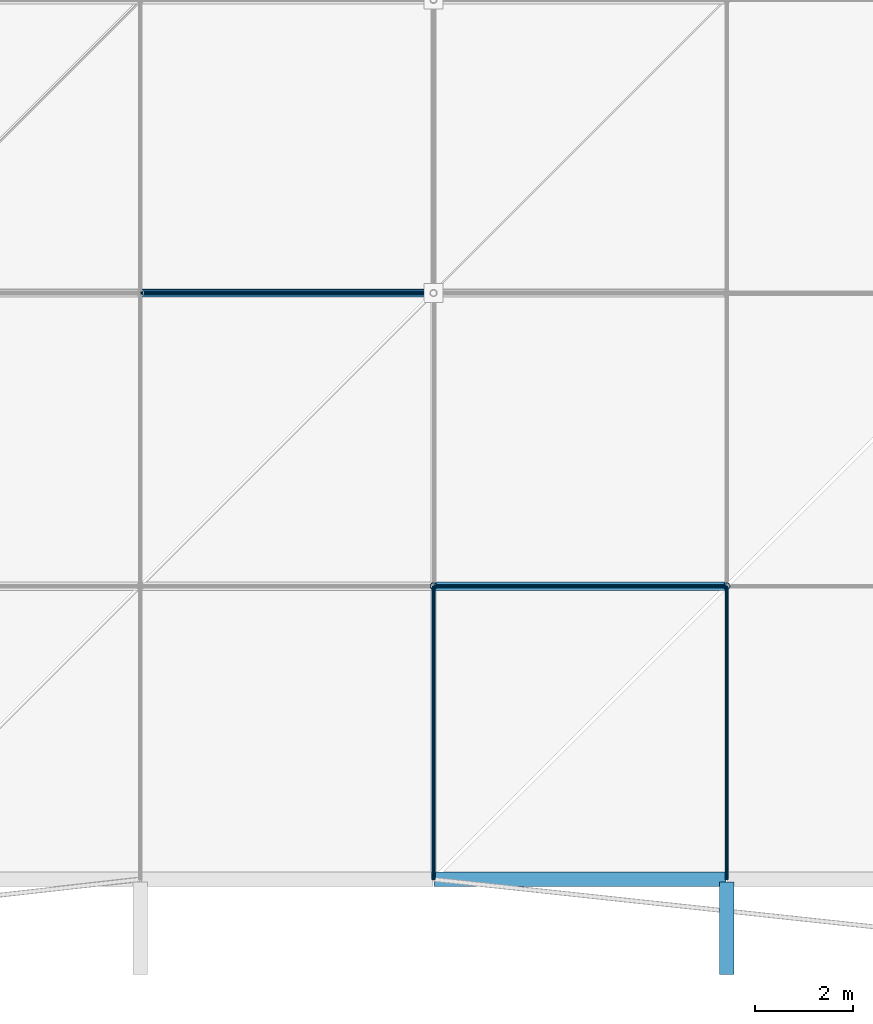
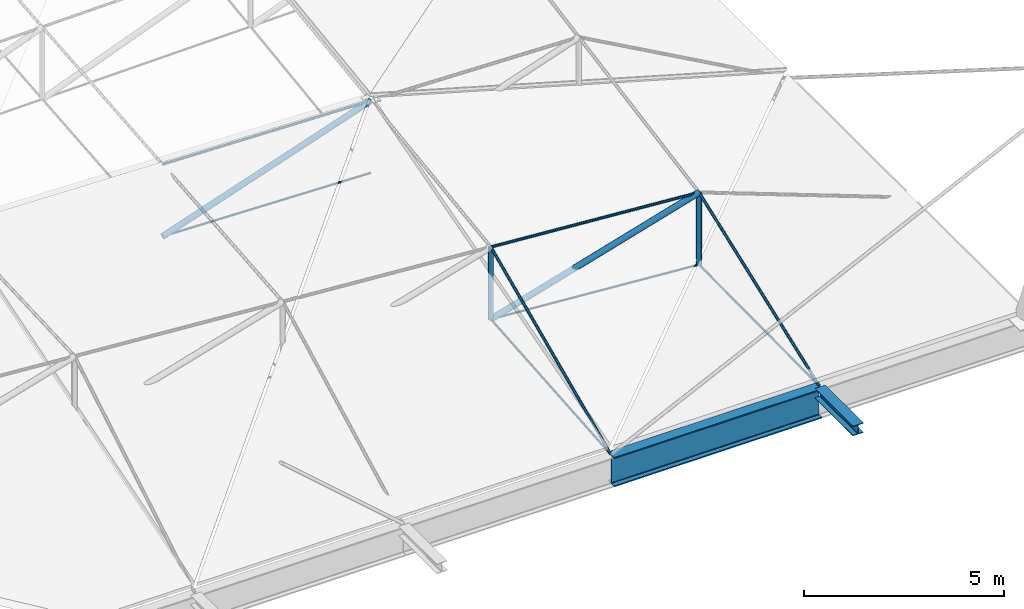
# One storey, part 34 of 132: 12 members, 2 beams.
"""IFC4 building model written with IfcOpenShell, lengths in metres."""

from ifc_helpers import new_model, si_unit, direction, frame, origin, origin_2d, place, context, subcontext, project, spatial, circle, hollow_circle, i_section, extrude, material, material_profile, profile_set, type_object, element, save


model = new_model("IFC4")

# Units and contexts
model_context = context("Model", 3, precision=1e-05, world=origin(), true_north=direction((0.0, 1.0)))
body_context = subcontext(model_context, "Body", "Model", "MODEL_VIEW")
ifc_project = project(units=[si_unit("LENGTHUNIT", "METRE"), si_unit("AREAUNIT", "SQUARE_METRE"), si_unit("VOLUMEUNIT", "CUBIC_METRE"), si_unit("PLANEANGLEUNIT", "RADIAN"), si_unit("MASSUNIT", "GRAM", prefix="KILO")], contexts=[model_context])

# Site, building, storey
site_placement = place(None, origin())
site = spatial("IfcSite", under=ifc_project, at=site_placement, CompositionType="ELEMENT")
building_placement = place(site_placement, origin())
building = spatial("IfcBuilding", under=site, at=building_placement, Name="Deido Ridge Mobility Hub", CompositionType="ELEMENT")
storey_placement = place(building_placement, frame((0.0, 0.0, 8.39990234375)))
storey = spatial("IfcBuildingStorey", under=building, at=storey_placement, Name="L02", CompositionType="ELEMENT", Elevation=8.39990234375)

# Beam
ifc_material_1 = material(Name="Steel S355J2 EN 10025-2", Category="steel")
ifc_material_profile_1 = material_profile(ifc_material_1, i_section(OverallWidth=0.300048828125, OverallDepth=0.89990234375, WebThickness=0.0185546875, FlangeThickness=0.034912109375, FilletRadius=0.027099609375, at=origin_2d()), Name="HEB 900")
ifc_profile_set_1 = profile_set([ifc_material_profile_1], Name="Steel S355J2 EN 10025-2")
beam_type_1 = type_object("IfcBeamType", Name="BM-RING-HEB900", PredefinedType="USERDEFINED", material=ifc_profile_set_1)
beam_1_placement = place(storey_placement, frame((48.008056640625, 0.0, -0.449951171875), z_axis=(1.0, 0.0, 0.0), x_axis=(0.0, 1.0, 0.0)))
element("IfcBeam", 1, at=beam_1_placement, inside=storey, type_object=beam_type_1, Name="Compression ring beam RB1", ObjectType="RING BEAM", PredefinedType="USERDEFINED", context=body_context, shape_type="SweptSolid", body=[
    extrude(i_section(OverallWidth=0.300048828125, OverallDepth=0.89990234375, WebThickness=0.0185546875, FlangeThickness=0.034912109375, FilletRadius=0.027099609375, at=origin_2d()), origin(), (0.0, 0.0, 1.0), 5.98388671875),
])

# Members
ifc_material_2 = material(Name="Steel S460M EN 10025-4", Category="steel")
ifc_material_profile_2 = material_profile(ifc_material_2, circle(Radius=0.030029296875, at=origin_2d()), Name="CABLE D60")
ifc_profile_set_2 = profile_set([ifc_material_profile_2], Name="Steel S460M EN 10025-4")
member_type_1 = type_object("IfcMemberType", Name="MEM-CBL-D60", PredefinedType="USERDEFINED", material=ifc_profile_set_2)
member_1_placement = place(storey_placement, frame((48.0, 6.0, 0.489990234375), z_axis=(0.997363894896, 0.0, -0.072562119306), x_axis=(0.0, 1.0, 0.0)))
element("IfcMember", 2, at=member_1_placement, inside=storey, type_object=member_type_1, Name="Saddle lower stabilizing cable CB3", ObjectType="TENSION CABLE", PredefinedType="USERDEFINED", context=body_context, shape_type="SweptSolid", body=[
    extrude(circle(Radius=0.030029296875, at=origin_2d()), origin(), (0.0, 0.0, 1.0), 6.015869140625),
])
member_2_placement = place(storey_placement, frame((42.0, 12.0, 1.473388671875), z_axis=(0.999629695867, 0.0, -0.027211599387), x_axis=(0.0, 1.0, 0.0)))
element("IfcMember", 3, at=member_2_placement, inside=storey, type_object=member_type_1, Name="Saddle lower stabilizing cable CB3", ObjectType="TENSION CABLE", PredefinedType="USERDEFINED", context=body_context, shape_type="SweptSolid", body=[
    extrude(circle(Radius=0.030029296875, at=origin_2d()), origin(), (0.0, 0.0, 1.0), 6.002197265625),
])
member_3_placement = place(storey_placement, frame((48.0, 0.0, 0.0), z_axis=(0.0, 0.996681997767, 0.08139407428), x_axis=(-1.0, 0.0, 0.0)))
element("IfcMember", 4, at=member_3_placement, inside=storey, type_object=member_type_1, Name="Saddle transverse valley cable CB3", ObjectType="TENSION CABLE", PredefinedType="USERDEFINED", context=body_context, shape_type="SweptSolid", body=[
    extrude(circle(Radius=0.030029296875, at=origin_2d()), origin(), (0.0, 0.0, 1.0), 6.02001953125),
])
member_4_placement = place(storey_placement, frame((54.0, 0.0, 0.0), z_axis=(0.0, 0.99996029822, 0.008910779025), x_axis=(-1.0, 0.0, 0.0)))
element("IfcMember", 5, at=member_4_placement, inside=storey, type_object=member_type_1, Name="Saddle transverse valley cable CB3", ObjectType="TENSION CABLE", PredefinedType="USERDEFINED", context=body_context, shape_type="SweptSolid", body=[
    extrude(circle(Radius=0.030029296875, at=origin_2d()), origin(), (0.0, 0.0, 1.0), 6.000244140625),
])
ifc_material_profile_3 = material_profile(ifc_material_2, circle(Radius=0.0380859375, at=origin_2d()), Name="CABLE D76")
ifc_profile_set_3 = profile_set([ifc_material_profile_3], Name="Steel S460M EN 10025-4")
member_type_2 = type_object("IfcMemberType", Name="MEM-CBL-D76", PredefinedType="USERDEFINED", material=ifc_profile_set_3)
member_5_placement = place(storey_placement, frame((48.0, 6.0, 2.690185546875), z_axis=(0.997360957073, 0.0, -0.07260248829), x_axis=(0.0, 1.0, 0.0)))
element("IfcMember", 6, at=member_5_placement, inside=storey, type_object=member_type_2, Name="Saddle upper longitudinal cable CB2", ObjectType="TENSION CABLE", PredefinedType="USERDEFINED", context=body_context, shape_type="SweptSolid", body=[
    extrude(circle(Radius=0.0380859375, at=origin_2d()), origin(), (0.0, 0.0, 1.0), 6.015869140625),
])
member_6_placement = place(storey_placement, frame((42.0, 12.0, 3.67333984375), z_axis=(0.999629695867, 0.0, -0.027211599387), x_axis=(0.0, 1.0, 0.0)))
element("IfcMember", 7, at=member_6_placement, inside=storey, type_object=member_type_2, Name="Saddle upper longitudinal cable CB2", ObjectType="TENSION CABLE", PredefinedType="USERDEFINED", context=body_context, shape_type="SweptSolid", body=[
    extrude(circle(Radius=0.0380859375, at=origin_2d()), origin(), (0.0, 0.0, 1.0), 6.002197265625),
])
member_7_placement = place(storey_placement, frame((48.0, 0.0, 0.0), z_axis=(0.0, 0.91247921457, 0.40912306581), x_axis=(-1.0, 0.0, 0.0)))
element("IfcMember", 8, at=member_7_placement, inside=storey, type_object=member_type_2, Name="Saddle transverse ridge cable CB2", ObjectType="TENSION CABLE", PredefinedType="USERDEFINED", context=body_context, shape_type="SweptSolid", body=[
    extrude(circle(Radius=0.0380859375, at=origin_2d()), origin(), (0.0, 0.0, 1.0), 6.575439453125),
])
member_8_placement = place(storey_placement, frame((54.0, 0.0, 0.0), z_axis=(0.0, 0.936153732389, 0.351590940346), x_axis=(-1.0, 0.0, 0.0)))
element("IfcMember", 9, at=member_8_placement, inside=storey, type_object=member_type_2, Name="Saddle transverse ridge cable CB2", ObjectType="TENSION CABLE", PredefinedType="USERDEFINED", context=body_context, shape_type="SweptSolid", body=[
    extrude(circle(Radius=0.0380859375, at=origin_2d()), origin(), (0.0, 0.0, 1.0), 6.4091796875),
])
ifc_material_3 = material(Name="Steel S355J2H EN 10210-1", Category="steel")
ifc_material_profile_4 = material_profile(ifc_material_3, hollow_circle(Radius=0.06982421875, WallThickness=0.00634765625, at=origin_2d()), Name="CHS 139.7x6.3")
ifc_profile_set_4 = profile_set([ifc_material_profile_4], Name="Steel S355J2H EN 10210-1")
member_type_3 = type_object("IfcMemberType", Name="MEM-STR-CHS140", PredefinedType="STRUT", material=ifc_profile_set_4)
member_9_placement = place(storey_placement, frame((48.0, 6.0, 0.489990234375), z_axis=(0.0, 0.0, 1.0), x_axis=(1.0, 0.0, 0.0)))
element("IfcMember", 10, at=member_9_placement, inside=storey, type_object=member_type_3, Name="Cable-net vertical spreader strut SR2", PredefinedType="STRUT", context=body_context, shape_type="SweptSolid", body=[
    extrude(hollow_circle(Radius=0.06982421875, WallThickness=0.00634765625, at=origin_2d()), origin(), (0.0, 0.0, 1.0), 2.2001953125),
])
member_10_placement = place(storey_placement, frame((54.0, 6.0, 0.053466796875), z_axis=(0.0, 0.0, 1.0), x_axis=(1.0, 0.0, 0.0)))
element("IfcMember", 11, at=member_10_placement, inside=storey, type_object=member_type_3, Name="Cable-net vertical spreader strut SR2", PredefinedType="STRUT", context=body_context, shape_type="SweptSolid", body=[
    extrude(hollow_circle(Radius=0.06982421875, WallThickness=0.00634765625, at=origin_2d()), origin(), (0.0, 0.0, 1.0), 2.199951171875),
])
ifc_material_profile_5 = material_profile(ifc_material_3, hollow_circle(Radius=0.084228515625, WallThickness=0.008056640625, at=origin_2d()), Name="CHS 168.3x8")
ifc_profile_set_5 = profile_set([ifc_material_profile_5], Name="Steel S355J2H EN 10210-1")
member_type_4 = type_object("IfcMemberType", Name="MEM-STR-CHS168", PredefinedType="STRUT", material=ifc_profile_set_5)
member_11_placement = place(storey_placement, frame((48.0, 6.0, 0.489990234375), z_axis=(0.959420809005, 0.0, 0.281978210589), x_axis=(0.0, 1.0, 0.0)))
element("IfcMember", 12, at=member_11_placement, inside=storey, type_object=member_type_4, Name="Saddle diagonal web strut SR1", PredefinedType="STRUT", context=body_context, shape_type="SweptSolid", body=[
    extrude(hollow_circle(Radius=0.084228515625, WallThickness=0.008056640625, at=origin_2d()), origin(), (0.0, 0.0, 1.0), 6.253662109375),
])
member_12_placement = place(storey_placement, frame((42.0, 12.0, 1.473388671875), z_axis=(0.946935147416, 0.0, 0.321424682607), x_axis=(0.0, 1.0, 0.0)))
element("IfcMember", 13, at=member_12_placement, inside=storey, type_object=member_type_4, Name="Saddle diagonal web strut SR1", PredefinedType="STRUT", context=body_context, shape_type="SweptSolid", body=[
    extrude(hollow_circle(Radius=0.084228515625, WallThickness=0.008056640625, at=origin_2d()), origin(), (0.0, 0.0, 1.0), 6.336181640625),
])

# Beam
ifc_material_profile_6 = material_profile(ifc_material_1, i_section(OverallWidth=0.300048828125, OverallDepth=0.300048828125, WebThickness=0.010986328125, FlangeThickness=0.01904296875, FilletRadius=0.027099609375, at=origin_2d()), Name="HEB 300")
ifc_profile_set_6 = profile_set([ifc_material_profile_6], Name="Steel S355J2 EN 10025-2")
beam_type_2 = type_object("IfcBeamType", Name="SPD-HEB300", PredefinedType="SPANDREL", material=ifc_profile_set_6)
beam_2_placement = place(storey_placement, frame((54.0, -0.050048828125, -0.14990234375), z_axis=(0.0, -1.0, 0.0), x_axis=(1.0, 0.0, 0.0)))
element("IfcBeam", 14, at=beam_2_placement, inside=storey, type_object=beam_type_2, Name="Exoskeleton outrigger beam SP1", PredefinedType="SPANDREL", context=body_context, shape_type="SweptSolid", body=[
    extrude(i_section(OverallWidth=0.300048828125, OverallDepth=0.300048828125, WebThickness=0.010986328125, FlangeThickness=0.01904296875, FilletRadius=0.027099609375, at=origin_2d()), origin(), (0.0, 0.0, 1.0), 1.89990234375),
])

save(model, "model.ifc")
